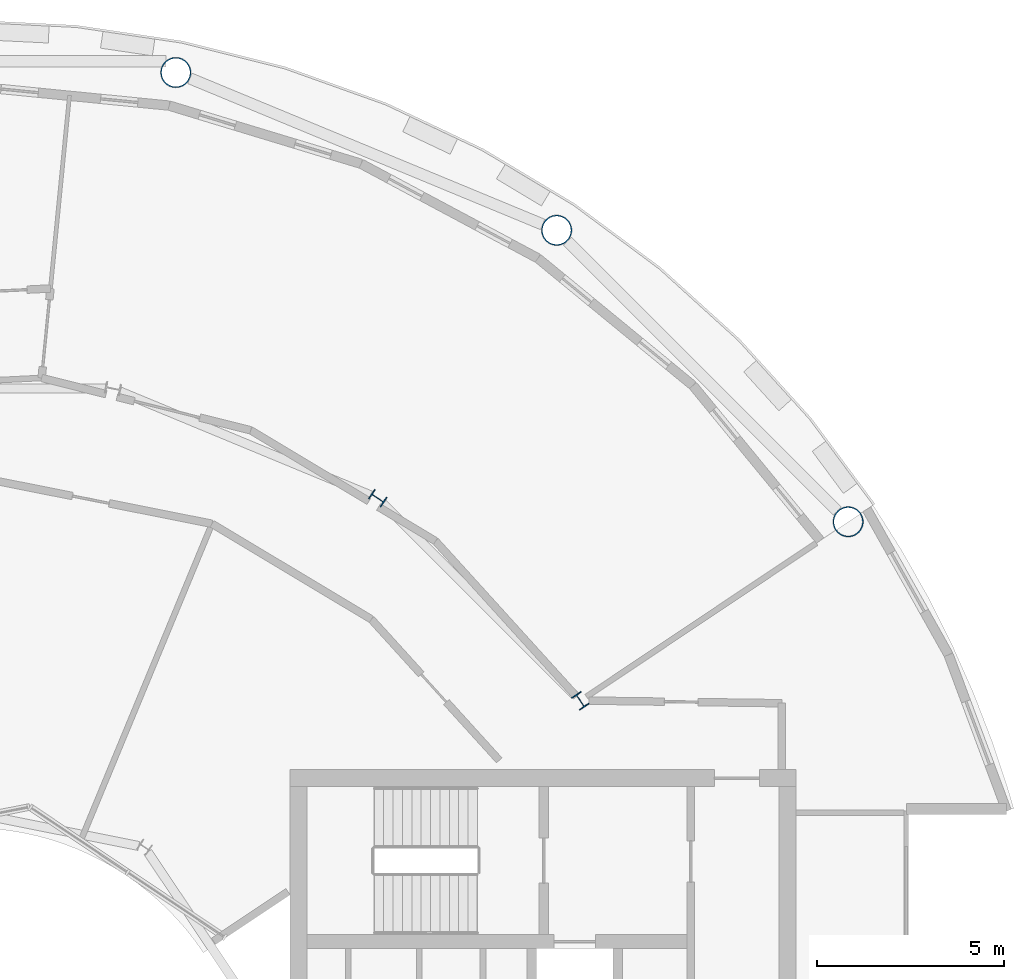
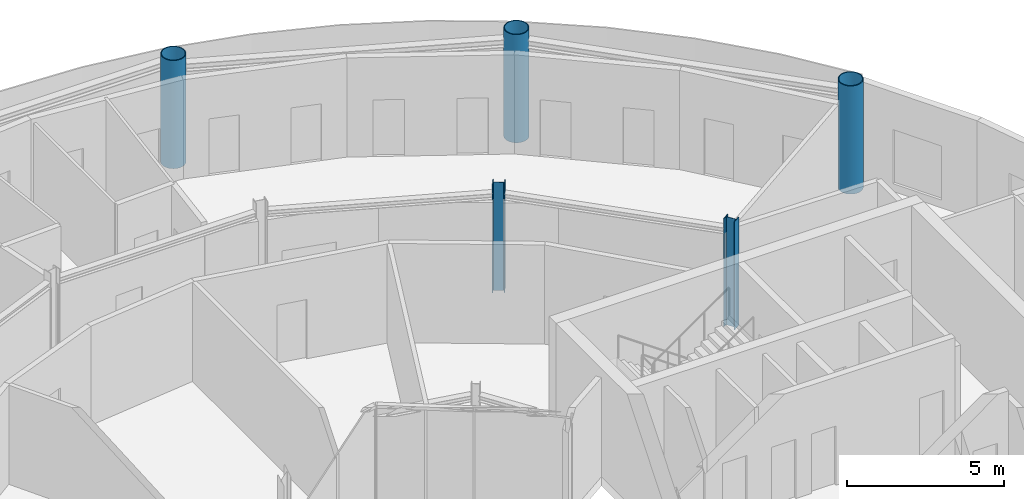
# One storey, part 5 of 22: 5 columns.
"""IFC4 building model written with IfcOpenShell, lengths in metres."""

from ifc_helpers import new_model, si_unit, direction, frame, origin, origin_2d, place, context, subcontext, project, spatial, hollow_circle, i_section, extrude, material, material_profile, profile_set, type_object, element, save


model = new_model("IFC4")

# Units and contexts
model_context = context("Model", 3, precision=1e-05, world=origin(), true_north=direction((0.0, 1.0)))
body_context = subcontext(model_context, "Body", "Model", "MODEL_VIEW")
ifc_project = project(units=[si_unit("LENGTHUNIT", "METRE"), si_unit("AREAUNIT", "SQUARE_METRE"), si_unit("VOLUMEUNIT", "CUBIC_METRE"), si_unit("PLANEANGLEUNIT", "RADIAN"), si_unit("MASSUNIT", "GRAM", prefix="KILO")], contexts=[model_context])

# Site, building, storey
site_placement = place(None, origin())
site = spatial("IfcSite", under=ifc_project, at=site_placement, CompositionType="ELEMENT")
building_placement = place(site_placement, origin())
building = spatial("IfcBuilding", under=site, at=building_placement, Name="Maasbend Ring Residences", CompositionType="ELEMENT")
storey_placement = place(building_placement, frame((0.0, 0.0, 208.5)))
storey = spatial("IfcBuildingStorey", under=building, at=storey_placement, Name="L60", CompositionType="ELEMENT", Elevation=208.5)

# Columns
ifc_material_1 = material(Name="Composite concrete-filled steel tube S460NH / C80/95", Category="concrete")
ifc_material_profile_1 = material_profile(ifc_material_1, hollow_circle(Radius=0.406494140625, WallThickness=0.030029296875, at=origin_2d()), Name="Composite tube column CHS 813x30")
ifc_profile_set_1 = profile_set([ifc_material_profile_1], Name="Composite concrete-filled steel tube S460NH / C80/95")
column_type_1 = type_object("IfcColumnType", Name="Composite tube column CHS 813x30", PredefinedType="COLUMN", material=ifc_profile_set_1)
for number, where, z_axis, x_axis, name in (
    (1, (23.447509765625, 15.6669921875, 0.0), (0.0, 0.0, 1.0), (1.0, 0.0, 0.0), "Outer column R2"),
    (2, (15.6669921875, 23.447509765625, 0.0), (0.0, 0.0, 1.0), (1.0, 0.0, 0.0), "Outer column R3"),
    (3, (5.50146484375, 27.658203125, 0.0), (0.0, 0.0, 1.0), (1.0, 0.0, 0.0), "Outer column R4"),
):
    element("IfcColumn", number, at=place(storey_placement, frame(where, z_axis=z_axis, x_axis=x_axis)), inside=storey, type_object=column_type_1, Name=name, PredefinedType="COLUMN", context=body_context, shape_type="SweptSolid", body=[
        extrude(hollow_circle(Radius=0.406494140625, WallThickness=0.030029296875, at=origin_2d()), origin(), (0.0, 0.0, 1.0), 4.199951171875),
    ])
ifc_material_2 = material(Name="Steel S355J2", Category="steel")
ifc_material_profile_2 = material_profile(ifc_material_2, i_section(OverallWidth=0.300048828125, OverallDepth=0.39990234375, WebThickness=0.013427734375, FlangeThickness=0.02392578125, FilletRadius=0.027099609375, at=origin_2d()), Name="HEB 400")
ifc_profile_set_2 = profile_set([ifc_material_profile_2], Name="Steel S355J2")
column_type_2 = type_object("IfcColumnType", Name="Steel column HEB 400", PredefinedType="COLUMN", material=ifc_profile_set_2)
for number, where, z_axis, x_axis, name in (
    (4, (16.296875, 10.88916015625, 0.0), (0.0, 0.0, 1.0), (0.831469612303, 0.55557023302, 0.0), "Corridor ring column R2"),
    (5, (10.88916015625, 16.296875, 0.0), (0.0, 0.0, 1.0), (0.55557023302, 0.831469612303, 0.0), "Corridor ring column R3"),
):
    element("IfcColumn", number, at=place(storey_placement, frame(where, z_axis=z_axis, x_axis=x_axis)), inside=storey, type_object=column_type_2, Name=name, PredefinedType="COLUMN", context=body_context, shape_type="SweptSolid", body=[
        extrude(i_section(OverallWidth=0.300048828125, OverallDepth=0.39990234375, WebThickness=0.013427734375, FlangeThickness=0.02392578125, FilletRadius=0.027099609375, at=origin_2d()), origin(), (0.0, 0.0, 1.0), 4.199951171875),
    ])

save(model, "model.ifc")
